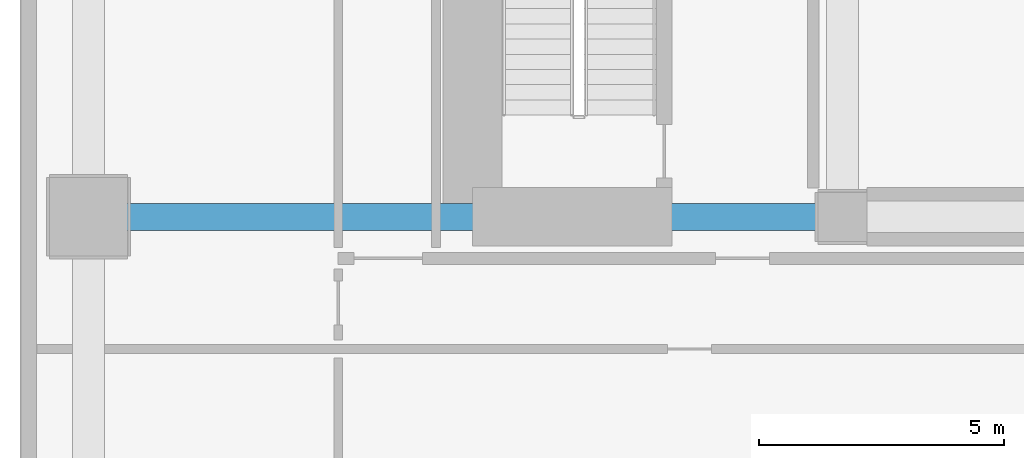
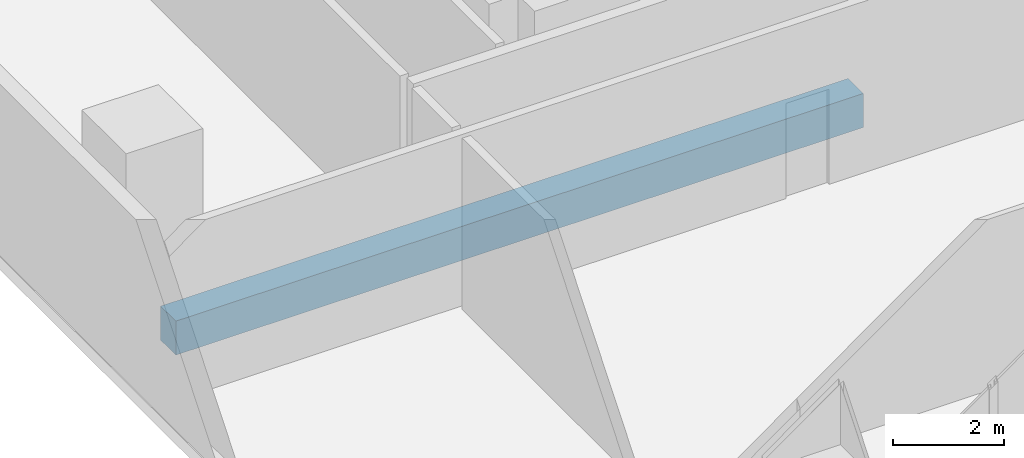
# One storey, part 3 of 22: 1 beam.
"""IFC4 building model written with IfcOpenShell, lengths in metres."""

from ifc_helpers import new_model, si_unit, direction, frame, origin, origin_2d, place, context, subcontext, project, spatial, rectangle, extrude, material, material_profile, profile_set, type_object, element, save


model = new_model("IFC4")

# Units and contexts
model_context = context("Model", 3, precision=1e-05, world=origin(), true_north=direction((0.0, 1.0)))
body_context = subcontext(model_context, "Body", "Model", "MODEL_VIEW")
ifc_project = project(units=[si_unit("LENGTHUNIT", "METRE"), si_unit("AREAUNIT", "SQUARE_METRE"), si_unit("VOLUMEUNIT", "CUBIC_METRE"), si_unit("PLANEANGLEUNIT", "RADIAN"), si_unit("MASSUNIT", "GRAM", prefix="KILO")], contexts=[model_context])

# Site, building, storey
site_placement = place(None, origin())
site = spatial("IfcSite", under=ifc_project, at=site_placement, CompositionType="ELEMENT")
building_placement = place(site_placement, origin())
building = spatial("IfcBuilding", under=site, at=building_placement, Name="Solanera Arch Residences", CompositionType="ELEMENT")
storey_placement = place(building_placement, frame((0.0, 0.0, 13.60009765625)))
storey = spatial("IfcBuildingStorey", under=building, at=storey_placement, Name="L03", CompositionType="ELEMENT", Elevation=13.60009765625)

# Beam
ifc_material = material(Name="Concrete C40/50 (f'c = 45 MPa)", Category="concrete")
ifc_material_profile = material_profile(ifc_material, rectangle(XDim=0.550048828125, YDim=0.75, at=origin_2d()))
ifc_profile_set = profile_set([ifc_material_profile], Name="Concrete C40/50 (f'c = 45 MPa)")
beam_type = type_object("IfcBeamType", Name="Primary Beam RC-BM-550X750", PredefinedType="BEAM", material=ifc_profile_set)
beam_placement = place(storey_placement, frame((5.93994140625, 22.0, -0.655029296875), z_axis=(1.0, 0.0, 0.0), x_axis=(0.0, 1.0, 0.0)))
element("IfcBeam", 1, at=beam_placement, inside=storey, type_object=beam_type, Name="BM-L03-POD-RW-22", PredefinedType="BEAM", context=body_context, shape_type="SweptSolid", body=[
    extrude(rectangle(XDim=0.550048828125, YDim=0.75, at=origin_2d()), origin(), (0.0, 0.0, 1.0), 14.35595703125),
])

save(model, "model.ifc")
